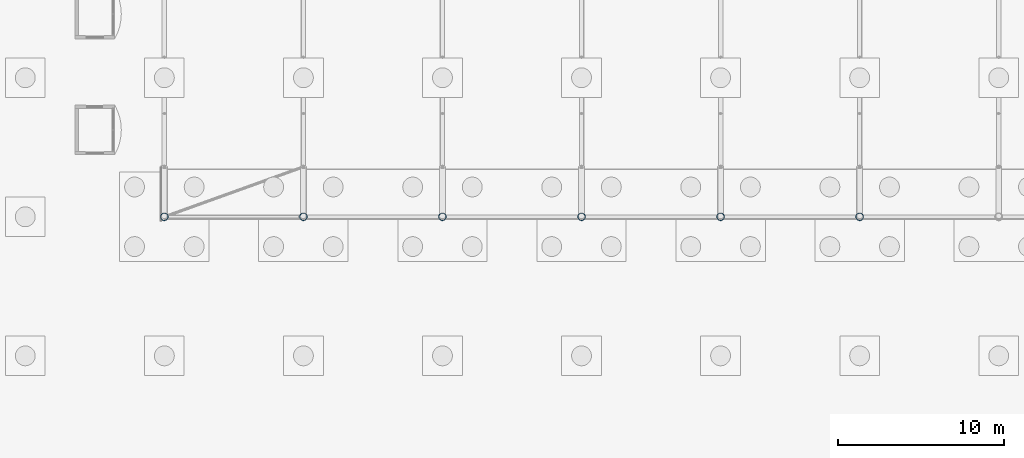
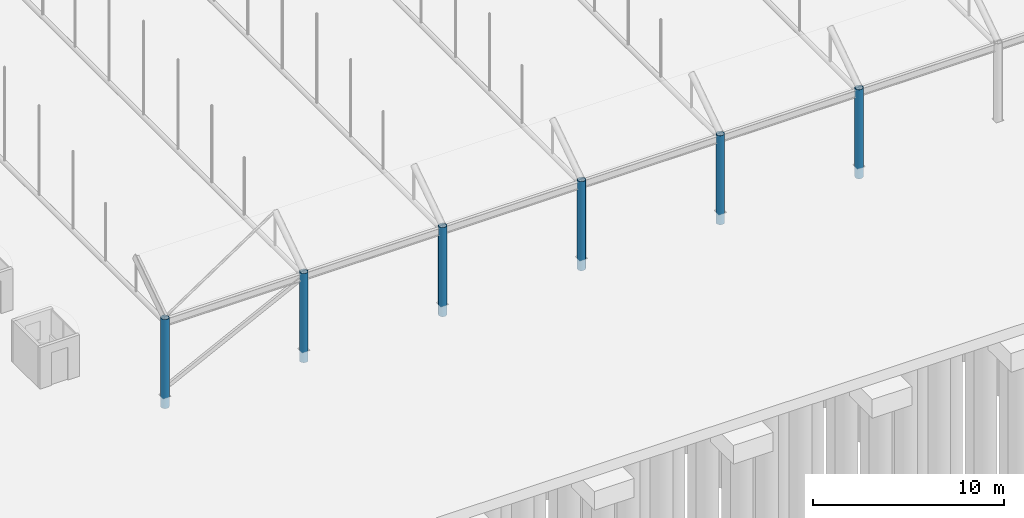
# One storey, part 7 of 212: 6 columns.
"""IFC4 building model written with IfcOpenShell, lengths in metres."""

from ifc_helpers import new_model, si_unit, direction, frame, origin, origin_2d, place, context, subcontext, project, spatial, hollow_circle, extrude, material, material_profile, profile_set, type_object, element, save


model = new_model("IFC4")

# Units and contexts
model_context = context("Model", 3, precision=1e-05, world=origin(), true_north=direction((0.0, 1.0)))
body_context = subcontext(model_context, "Body", "Model", "MODEL_VIEW")
ifc_project = project(units=[si_unit("LENGTHUNIT", "METRE"), si_unit("AREAUNIT", "SQUARE_METRE"), si_unit("VOLUMEUNIT", "CUBIC_METRE"), si_unit("PLANEANGLEUNIT", "RADIAN"), si_unit("MASSUNIT", "GRAM", prefix="KILO")], contexts=[model_context])

# Site, building, storey
site_placement = place(None, origin())
site = spatial("IfcSite", under=ifc_project, at=site_placement, CompositionType="ELEMENT")
building_placement = place(site_placement, origin())
building = spatial("IfcBuilding", under=site, at=building_placement, Name="Catenary Quay Ferry Terminal", CompositionType="ELEMENT")
storey_placement = place(building_placement, origin())
storey = spatial("IfcBuildingStorey", under=building, at=storey_placement, Name="L00", CompositionType="ELEMENT", Elevation=0.0)

# Columns
ifc_material = material(Name="Steel S355", Category="steel")
ifc_material_profile = material_profile(ifc_material, hollow_circle(Radius=0.228515625, WallThickness=0.01611328125, at=origin_2d()), Name="CHS 457x16")
ifc_profile_set = profile_set([ifc_material_profile], Name="Steel S355")
column_type = type_object("IfcColumnType", Name="C6 CHS 457x16", PredefinedType="COLUMN", material=ifc_profile_set)
for number, where, z_axis, x_axis, name in (
    (1, (16.800048828125, 16.800048828125, -0.699951171875), (0.0, 0.0, 1.0), (1.0, 0.0, 0.0), "Column C-C3 L00"),
    (2, (25.199951171875, 16.800048828125, -0.699951171875), (0.0, 0.0, 1.0), (1.0, 0.0, 0.0), "Column C-D3 L00"),
    (3, (33.60009765625, 16.800048828125, -0.699951171875), (0.0, 0.0, 1.0), (1.0, 0.0, 0.0), "Column C-E3 L00"),
    (4, (42.0, 16.800048828125, -0.699951171875), (0.0, 0.0, 1.0), (1.0, 0.0, 0.0), "Column C-F3 L00"),
    (5, (50.39990234375, 16.800048828125, -0.699951171875), (0.0, 0.0, 1.0), (1.0, 0.0, 0.0), "Column C-G3 L00"),
    (6, (58.800048828125, 16.800048828125, -0.699951171875), (0.0, 0.0, 1.0), (1.0, 0.0, 0.0), "Column C-H3 L00"),
):
    element("IfcColumn", number, at=place(storey_placement, frame(where, z_axis=z_axis, x_axis=x_axis)), inside=storey, type_object=column_type, Name=name, PredefinedType="COLUMN", context=body_context, shape_type="SweptSolid", body=[
        extrude(hollow_circle(Radius=0.228515625, WallThickness=0.01611328125, at=origin_2d()), origin(), (0.0, 0.0, 1.0), 5.699951171875),
    ])

save(model, "model.ifc")
